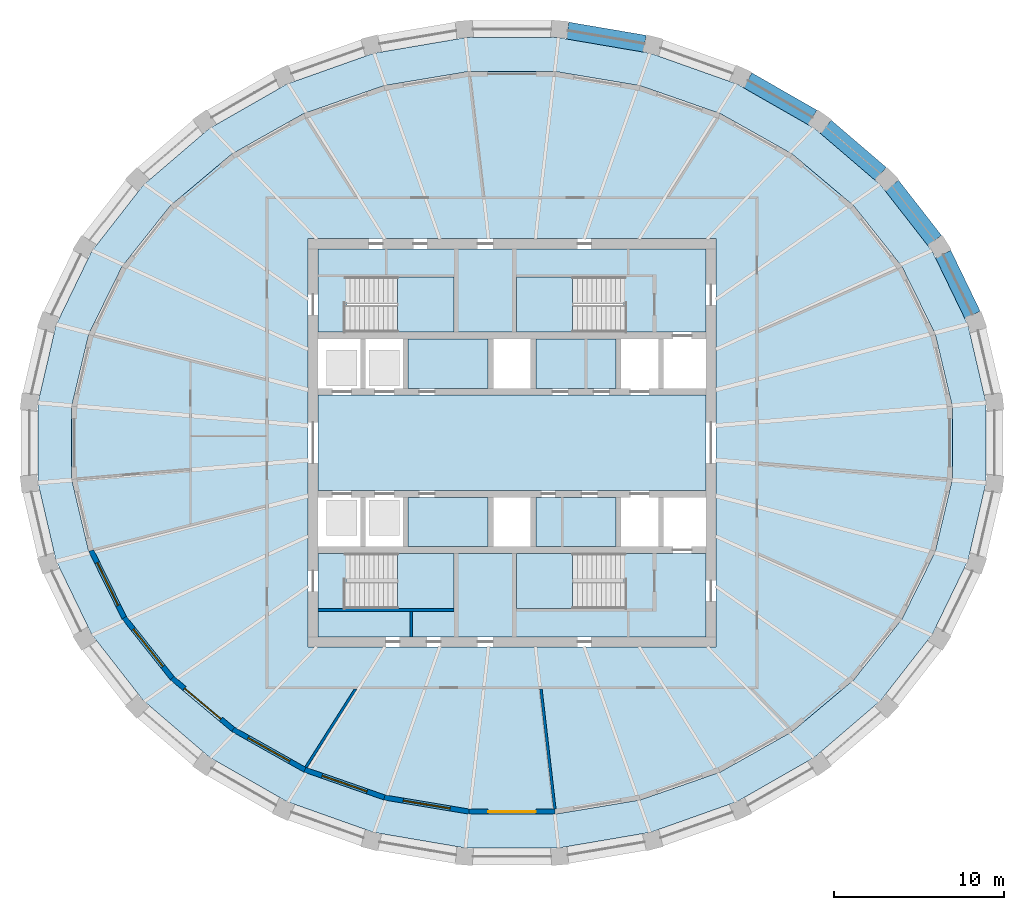
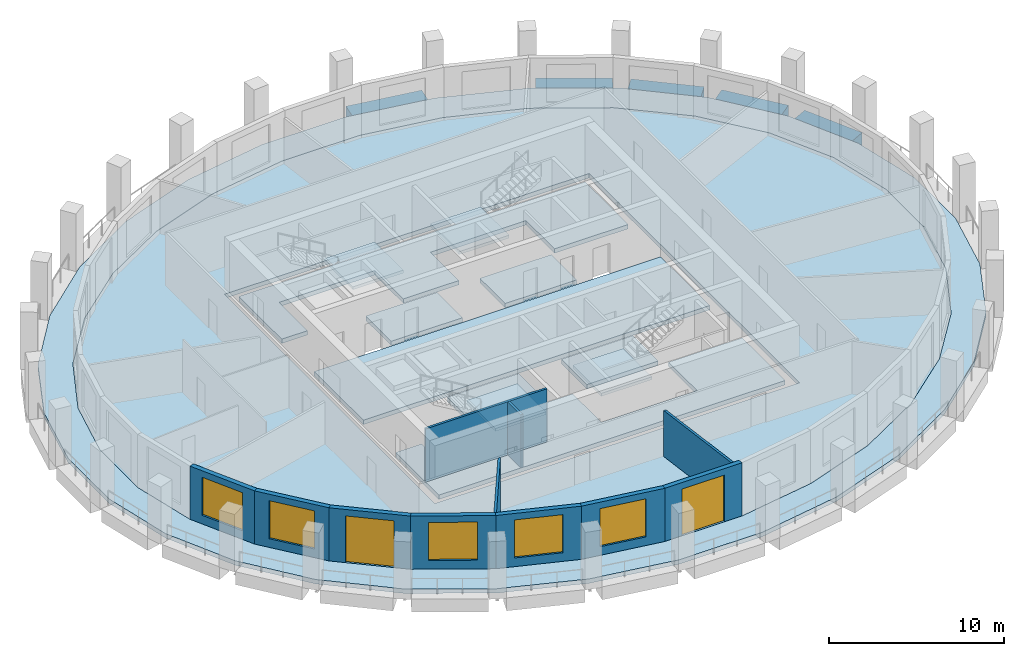
# One storey, part 2 of 10: 13 slabs, 11 walls, 5 beams, 5 windows, 2 doors, 7 openings, 4 elements without a shape of their own.
"""IFC4 building model written with IfcOpenShell, lengths in metres."""

from ifc_helpers import new_model, si_unit, direction, frame, frame_2d, origin, origin_2d, place, context, subcontext, project, spatial, polyline, rectangle, outline, extrude, material, layer, layer_set, material_profile, profile_set, type_object, element, fill, aggregate, save


model = new_model("IFC4")

# Units and contexts
model_context = context("Model", 3, precision=1e-05, world=origin(), true_north=direction((0.0, 1.0)))
body_context = subcontext(model_context, "Body", "Model", "MODEL_VIEW")
ifc_project = project(units=[si_unit("LENGTHUNIT", "METRE"), si_unit("AREAUNIT", "SQUARE_METRE"), si_unit("VOLUMEUNIT", "CUBIC_METRE"), si_unit("PLANEANGLEUNIT", "RADIAN"), si_unit("MASSUNIT", "GRAM", prefix="KILO")], contexts=[model_context])

# Site, building, storey
site_placement = place(None, origin())
site = spatial("IfcSite", under=ifc_project, at=site_placement, CompositionType="ELEMENT")
building_placement = place(site_placement, origin())
building = spatial("IfcBuilding", under=site, at=building_placement, Name="Halqa Exchange Tower", CompositionType="ELEMENT")
storey_placement = place(building_placement, frame((0.0, 0.0, 320.300048828125)))
storey = spatial("IfcBuildingStorey", under=building, at=storey_placement, Name="L75", CompositionType="ELEMENT", Elevation=320.300048828125)

# Beams
ifc_material_1 = material(Name="Concrete C60/75", Category="concrete")
ifc_material_profile = material_profile(ifc_material_1, rectangle(XDim=1.0, YDim=0.89990234375, at=origin_2d()), Name="1000 x 900")
ifc_profile_set = profile_set([ifc_material_profile], Name="Concrete C60/75")
beam_type = type_object("IfcBeamType", Name="RC spandrel beam 1000 x 900 C60/75", PredefinedType="SPANDREL", material=ifc_profile_set)
beam_1_placement = place(storey_placement, frame((27.06591796875, 7.519287109375, -0.449951171875), z_axis=(-0.43505216676, 0.900405248873, 0.0), x_axis=(-0.900405248873, -0.43505216676, 0.0)))
element("IfcBeam", 1, at=beam_1_placement, inside=storey, type_object=beam_type, Name="Spandrel 2", PredefinedType="SPANDREL", context=body_context, shape_type="SweptSolid", body=[
    extrude(rectangle(XDim=1.0, YDim=0.89990234375, at=origin_2d()), origin(), (0.0, 0.0, 1.0), 3.964111328125),
])
beam_2_placement = place(storey_placement, frame((24.8427734375, 11.89013671875, -0.449951171875), z_axis=(-0.61480594236, 0.788678421943, 0.0), x_axis=(-0.788678421943, -0.61480594236, 0.0)))
element("IfcBeam", 2, at=beam_2_placement, inside=storey, type_object=beam_type, Name="Spandrel 3", PredefinedType="SPANDREL", context=body_context, shape_type="SweptSolid", body=[
    extrude(rectangle(XDim=1.0, YDim=0.89990234375, at=origin_2d()), origin(), (0.0, 0.0, 1.0), 4.10009765625),
])
beam_3_placement = place(storey_placement, frame((21.670654296875, 15.805908203125, -0.449951171875), z_axis=(-0.759232294843, 0.65081973116, 0.0), x_axis=(-0.65081973116, -0.759232294843, 0.0)))
element("IfcBeam", 3, at=beam_3_placement, inside=storey, type_object=beam_type, Name="Spandrel 4", PredefinedType="SPANDREL", context=body_context, shape_type="SweptSolid", body=[
    extrude(rectangle(XDim=1.0, YDim=0.89990234375, at=origin_2d()), origin(), (0.0, 0.0, 1.0), 4.25390625),
])
beam_4_placement = place(storey_placement, frame((17.669189453125, 19.119140625, -0.449951171875), z_axis=(-0.86778573249, 0.49693855001, 0.0), x_axis=(-0.49693855001, -0.86778573249, 0.0)))
element("IfcBeam", 4, at=beam_4_placement, inside=storey, type_object=beam_type, Name="Spandrel 5", PredefinedType="SPANDREL", context=body_context, shape_type="SweptSolid", body=[
    extrude(rectangle(XDim=1.0, YDim=0.89990234375, at=origin_2d()), origin(), (0.0, 0.0, 1.0), 4.40478515625),
])
beam_5_placement = place(storey_placement, frame((7.805419921875, 23.456298828125, -0.449951171875), z_axis=(-0.985773042695, 0.168081849987, 0.0), x_axis=(-0.168081849987, -0.985773042695, 0.0)))
element("IfcBeam", 5, at=beam_5_placement, inside=storey, type_object=beam_type, Name="Spandrel 7", PredefinedType="SPANDREL", context=body_context, shape_type="SweptSolid", body=[
    extrude(rectangle(XDim=1.0, YDim=0.89990234375, at=origin_2d()), origin(), (0.0, 0.0, 1.0), 4.6103515625),
])

# Slabs
ifc_layer_1 = layer(ifc_material_1, 0.300048828125)
ifc_layer_set_1 = layer_set([ifc_layer_1], Name="Concrete C60/75")
slab_type_1 = type_object("IfcSlabType", Name="Core floor slab 300", PredefinedType="FLOOR", material=ifc_layer_set_1)
slab_1_placement = place(storey_placement, frame((0.0, 0.0, -0.300048828125)))
element("IfcSlab", 6, at=slab_1_placement, inside=storey, type_object=slab_type_1, Name="Core floor slab", PredefinedType="FLOOR", context=body_context, shape_type="SweptSolid", body=[
    extrude(outline(polyline([(-11.39990234375, 2.800048828125), (11.39990234375, 2.800048828125), (11.39990234375, -2.800048828125), (-11.39990234375, -2.800048828125), (-11.39990234375, 2.800048828125)])), origin(), (0.0, 0.0, 1.0), 0.300048828125),
])
slab_2_placement = place(storey_placement, frame((0.0, 0.0, -0.300048828125)))
element("IfcSlab", 7, at=slab_2_placement, inside=storey, type_object=slab_type_1, Name="Core floor slab", PredefinedType="FLOOR", context=body_context, shape_type="SweptSolid", body=[
    extrude(outline(polyline([(-11.39990234375, 11.39990234375), (11.39990234375, 11.39990234375), (11.39990234375, 6.5), (6.550048828125, 6.5), (6.550048828125, 9.75), (0.25, 9.75), (0.25, 6.5), (-3.39990234375, 6.5), (-3.39990234375, 9.75), (-9.699951171875, 9.75), (-9.699951171875, 6.5), (-11.39990234375, 6.5), (-11.39990234375, 11.39990234375)])), origin(), (0.0, 0.0, 1.0), 0.300048828125),
])
slab_3_placement = place(storey_placement, frame((0.0, 0.0, -0.300048828125)))
element("IfcSlab", 8, at=slab_3_placement, inside=storey, type_object=slab_type_1, Name="Core floor slab", PredefinedType="FLOOR", context=body_context, shape_type="SweptSolid", body=[
    extrude(outline(polyline([(-11.39990234375, -6.5), (-9.699951171875, -6.5), (-9.699951171875, -9.75), (-3.39990234375, -9.75), (-3.39990234375, -6.5), (0.25, -6.5), (0.25, -9.75), (6.550048828125, -9.75), (6.550048828125, -6.5), (11.39990234375, -6.5), (11.39990234375, -11.39990234375), (-11.39990234375, -11.39990234375), (-11.39990234375, -6.5)])), origin(), (0.0, 0.0, 1.0), 0.300048828125),
])
slab_4_placement = place(storey_placement, frame((0.0, 0.0, -0.300048828125)))
element("IfcSlab", 9, at=slab_4_placement, inside=storey, type_object=slab_type_1, Name="Core floor slab", PredefinedType="FLOOR", context=body_context, shape_type="SweptSolid", body=[
    extrude(outline(polyline([(-1.39990234375, -3.199951171875), (-1.39990234375, -6.10009765625), (-6.10009765625, -6.10009765625), (-6.10009765625, -3.199951171875), (-1.39990234375, -3.199951171875)])), origin(), (0.0, 0.0, 1.0), 0.300048828125),
])
slab_5_placement = place(storey_placement, frame((0.0, 0.0, -0.300048828125)))
element("IfcSlab", 10, at=slab_5_placement, inside=storey, type_object=slab_type_1, Name="Core floor slab", PredefinedType="FLOOR", context=body_context, shape_type="SweptSolid", body=[
    extrude(outline(polyline([(-1.39990234375, 3.199951171875), (-6.10009765625, 3.199951171875), (-6.10009765625, 6.10009765625), (-1.39990234375, 6.10009765625), (-1.39990234375, 3.199951171875)])), origin(), (0.0, 0.0, 1.0), 0.300048828125),
])
slab_6_placement = place(storey_placement, frame((0.0, 0.0, -0.300048828125)))
element("IfcSlab", 11, at=slab_6_placement, inside=storey, type_object=slab_type_1, Name="Core floor slab", PredefinedType="FLOOR", context=body_context, shape_type="SweptSolid", body=[
    extrude(outline(polyline([(6.10009765625, -3.199951171875), (6.10009765625, -6.10009765625), (1.39990234375, -6.10009765625), (1.39990234375, -3.199951171875), (6.10009765625, -3.199951171875)])), origin(), (0.0, 0.0, 1.0), 0.300048828125),
])
slab_7_placement = place(storey_placement, frame((0.0, 0.0, -0.300048828125)))
element("IfcSlab", 12, at=slab_7_placement, inside=storey, type_object=slab_type_1, Name="Core floor slab", PredefinedType="FLOOR", context=body_context, shape_type="SweptSolid", body=[
    extrude(outline(polyline([(6.10009765625, 6.10009765625), (6.10009765625, 3.199951171875), (1.39990234375, 3.199951171875), (1.39990234375, 6.10009765625), (6.10009765625, 6.10009765625)])), origin(), (0.0, 0.0, 1.0), 0.300048828125),
])
ifc_material_2 = material(Name="Concrete C40/50", Category="concrete")
ifc_layer_2 = layer(ifc_material_2, 0.300048828125)
ifc_layer_set_2 = layer_set([ifc_layer_2], Name="Concrete C40/50")
slab_type_2 = type_object("IfcSlabType", Name="RC floor slab 300", PredefinedType="FLOOR", material=ifc_layer_set_2)
slab_8_placement = place(storey_placement, frame((0.0, 0.0, -0.300048828125)))
element("IfcSlab", 13, at=slab_8_placement, inside=storey, type_object=slab_type_2, Name="Floor slab", PredefinedType="FLOOR", context=body_context, shape_type="SweptSolid", body=[
    extrude(outline(polyline([(25.876220703125, 2.155029296875), (24.877685546875, 6.380615234375), (22.92041015625, 10.35693359375), (20.08251953125, 13.93115234375), (16.4755859375, 16.966796875), (12.23876953125, 19.34912109375), (7.534912109375, 20.989013671875), (2.5439453125, 21.824462890625), (-2.5439453125, 21.824462890625), (-7.534912109375, 20.989013671875), (-12.23876953125, 19.34912109375), (-16.4755859375, 16.966796875), (-20.08251953125, 13.93115234375), (-22.92041015625, 10.35693359375), (-24.877685546875, 6.380615234375), (-25.876220703125, 2.155029296875), (-25.876220703125, -2.155029296875), (-24.877685546875, -6.380615234375), (-22.92041015625, -10.35693359375), (-20.08251953125, -13.93115234375), (-16.4755859375, -16.966796875), (-12.23876953125, -19.34912109375), (-7.534912109375, -20.989013671875), (-2.5439453125, -21.824462890625), (2.5439453125, -21.824462890625), (7.534912109375, -20.989013671875), (12.23876953125, -19.34912109375), (16.4755859375, -16.966796875), (20.08251953125, -13.93115234375), (22.92041015625, -10.35693359375), (24.877685546875, -6.380615234375), (25.876220703125, -2.155029296875), (25.876220703125, 2.155029296875)]), holes=[polyline([(-12.0, -12.0), (12.0, -12.0), (12.0, 12.0), (-12.0, 12.0), (-12.0, -12.0)])]), origin(), (0.0, 0.0, 1.0), 0.300048828125),
])
ifc_layer_3 = layer(ifc_material_2, 0.300048828125)
ifc_layer_set_3 = layer_set([ifc_layer_3], Name="Concrete C40/50")
slab_type_3 = type_object("IfcSlabType", Name="RC loggia slab 300", PredefinedType="FLOOR", material=ifc_layer_set_3)
slab_9_placement = place(storey_placement, frame((0.0, 0.0, -0.300048828125)))
element("IfcSlab", 14, at=slab_9_placement, inside=storey, type_object=slab_type_3, Name="Loggia slab", PredefinedType="FLOOR", context=body_context, shape_type="SweptSolid", body=[
    extrude(outline(polyline([(27.86279296875, 2.337158203125), (27.86279296875, -2.337158203125), (26.79833984375, -6.923828125), (24.707763671875, -11.250244140625), (21.667236328125, -15.150390625), (17.790771484375, -18.47314453125), (13.22509765625, -21.087890625), (8.146484375, -22.89111328125), (2.751220703125, -23.81103515625), (-2.751220703125, -23.81103515625), (-8.146484375, -22.89111328125), (-13.22509765625, -21.087890625), (-17.790771484375, -18.47314453125), (-21.667236328125, -15.150390625), (-24.707763671875, -11.250244140625), (-26.79833984375, -6.923828125), (-27.86279296875, -2.337158203125), (-27.86279296875, 2.337158203125), (-26.79833984375, 6.923828125), (-24.707763671875, 11.250244140625), (-21.667236328125, 15.150390625), (-17.790771484375, 18.47314453125), (-13.22509765625, 21.087890625), (-8.146484375, 22.89111328125), (-2.751220703125, 23.81103515625), (2.751220703125, 23.81103515625), (8.146484375, 22.89111328125), (13.22509765625, 21.087890625), (17.790771484375, 18.47314453125), (21.667236328125, 15.150390625), (24.707763671875, 11.250244140625), (26.79833984375, 6.923828125), (27.86279296875, 2.337158203125)]), holes=[polyline([(25.876220703125, 2.155029296875), (24.877685546875, 6.380615234375), (22.92041015625, 10.35693359375), (20.08251953125, 13.93115234375), (16.4755859375, 16.966796875), (12.23876953125, 19.34912109375), (7.534912109375, 20.989013671875), (2.5439453125, 21.824462890625), (-2.5439453125, 21.824462890625), (-7.534912109375, 20.989013671875), (-12.23876953125, 19.34912109375), (-16.4755859375, 16.966796875), (-20.08251953125, 13.93115234375), (-22.92041015625, 10.35693359375), (-24.877685546875, 6.380615234375), (-25.876220703125, 2.155029296875), (-25.876220703125, -2.155029296875), (-24.877685546875, -6.380615234375), (-22.92041015625, -10.35693359375), (-20.08251953125, -13.93115234375), (-16.4755859375, -16.966796875), (-12.23876953125, -19.34912109375), (-7.534912109375, -20.989013671875), (-2.5439453125, -21.824462890625), (2.5439453125, -21.824462890625), (7.534912109375, -20.989013671875), (12.23876953125, -19.34912109375), (16.4755859375, -16.966796875), (20.08251953125, -13.93115234375), (22.92041015625, -10.35693359375), (24.877685546875, -6.380615234375), (25.876220703125, -2.155029296875), (25.876220703125, 2.155029296875)])]), origin(), (0.0, 0.0, 1.0), 0.300048828125),
])

# Stair, slab
ifc_material_3 = material(Name="Concrete C30/37", Category="concrete")
stair_type = type_object("IfcStairType", Name="Exit stair 1500 wide", PredefinedType="HALF_TURN_STAIR", material=ifc_material_3)
stair_1_placement = place(storey_placement, origin())
stair_1 = element("IfcStair", 15, at=stair_1_placement, inside=storey, type_object=stair_type, Name="Exit stair ST1", PredefinedType="HALF_TURN_STAIR")
ifc_layer_4 = layer(ifc_material_3, 0.199951171875)
ifc_layer_set_4 = layer_set([ifc_layer_4], Name="Concrete C30/37")
slab_type_4 = type_object("IfcSlabType", Name="Stair landing 200 slab", PredefinedType="LANDING", material=ifc_layer_set_4)
slab_10_placement = place(storey_placement, frame((0.0, 0.0, 1.800048828125)))
slab_10 = element("IfcSlab", 16, at=slab_10_placement, type_object=slab_type_4, Name="ST1 landing 1", PredefinedType="LANDING", context=body_context, shape_type="SweptSolid", body=[
    extrude(outline(polyline([(-6.719970703125, 6.5), (-3.39990234375, 6.5), (-3.39990234375, 9.75), (-6.719970703125, 9.75), (-6.719970703125, 6.5)])), origin(), (0.0, 0.0, 1.0), 0.199951171875),
])
aggregate(stair_1, [slab_10])

stair_2_placement = place(storey_placement, origin())
stair_2 = element("IfcStair", 17, at=stair_2_placement, inside=storey, type_object=stair_type, Name="Exit stair ST2", PredefinedType="HALF_TURN_STAIR")
slab_11_placement = place(storey_placement, frame((0.0, 0.0, 1.800048828125)))
slab_11 = element("IfcSlab", 18, at=slab_11_placement, type_object=slab_type_4, Name="ST2 landing 1", PredefinedType="LANDING", context=body_context, shape_type="SweptSolid", body=[
    extrude(outline(polyline([(0.25, 6.5), (3.570068359375, 6.5), (3.570068359375, 9.75), (0.25, 9.75), (0.25, 6.5)])), origin(), (0.0, 0.0, 1.0), 0.199951171875),
])
aggregate(stair_2, [slab_11])

stair_3_placement = place(storey_placement, origin())
stair_3 = element("IfcStair", 19, at=stair_3_placement, inside=storey, type_object=stair_type, Name="Exit stair ST3", PredefinedType="HALF_TURN_STAIR")
slab_12_placement = place(storey_placement, frame((0.0, 0.0, 1.800048828125)))
slab_12 = element("IfcSlab", 20, at=slab_12_placement, type_object=slab_type_4, Name="ST3 landing 1", PredefinedType="LANDING", context=body_context, shape_type="SweptSolid", body=[
    extrude(outline(polyline([(-6.719970703125, -9.75), (-3.39990234375, -9.75), (-3.39990234375, -6.5), (-6.719970703125, -6.5), (-6.719970703125, -9.75)])), origin(), (0.0, 0.0, 1.0), 0.199951171875),
])
aggregate(stair_3, [slab_12])

stair_4_placement = place(storey_placement, origin())
stair_4 = element("IfcStair", 21, at=stair_4_placement, inside=storey, type_object=stair_type, Name="Exit stair ST4", PredefinedType="HALF_TURN_STAIR")
slab_13_placement = place(storey_placement, frame((0.0, 0.0, 1.800048828125)))
slab_13 = element("IfcSlab", 22, at=slab_13_placement, type_object=slab_type_4, Name="ST4 landing 1", PredefinedType="LANDING", context=body_context, shape_type="SweptSolid", body=[
    extrude(outline(polyline([(0.25, -9.75), (3.570068359375, -9.75), (3.570068359375, -6.5), (0.25, -6.5), (0.25, -9.75)])), origin(), (0.0, 0.0, 1.0), 0.199951171875),
])
aggregate(stair_4, [slab_13])

# Walls
ifc_material_4 = material(Name="Fire-rated gypsum board")
ifc_layer_5 = layer(ifc_material_4, 0.14990234375)
ifc_layer_set_5 = layer_set([ifc_layer_5], Name="Fire-rated gypsum board")
wall_type_1 = type_object("IfcWallType", Name="Fire partition EI 60 150", PredefinedType="PARTITIONING", material=ifc_layer_set_5)
wall_1_placement = place(storey_placement, frame((-9.172119140625, -14.43505859375, 0.0), z_axis=(0.0, 0.0, 1.0), x_axis=(-0.536016173419, -0.844207712493, 0.0)))
element("IfcWall", 23, at=wall_1_placement, inside=storey, type_object=wall_type_1, Name="L75-PWL-009", PredefinedType="PARTITIONING", context=body_context, shape_type="SweptSolid", body=[
    extrude(outline(polyline([(0.094970703125, -0.074951171875), (1.89599609375, -0.074951171875), (3.697265625, -0.074951171875), (5.498291015625, -0.074951171875), (5.494140625, 0.002685546875), (5.477294921875, 0.074951171875), (3.6513671875, 0.074951171875), (1.82568359375, 0.074951171875), (0.0, 0.074951171875), (0.0, 0.074462890625), (0.094970703125, -0.074951171875)])), origin(), (0.0, 0.0, 1.0), 3.699951171875),
])
wall_2_placement = place(storey_placement, frame((1.69775390625, -14.466552734375, 0.0), z_axis=(0.0, 0.0, 1.0), x_axis=(0.115131681879, -0.993350238248, 0.0)))
element("IfcWall", 24, at=wall_2_placement, inside=storey, type_object=wall_type_1, Name="L75-PWL-012", PredefinedType="PARTITIONING", context=body_context, shape_type="SweptSolid", body=[
    extrude(outline(polyline([(0.0, -0.074951171875), (1.774169921875, -0.074951171875), (3.54833984375, -0.074951171875), (5.322265625, -0.074951171875), (7.096435546875, -0.074951171875), (7.1015625, -0.03125), (7.1015625, 0.074951171875), (5.33056640625, 0.074951171875), (3.559326171875, 0.074951171875), (1.788330078125, 0.074951171875), (0.01708984375, 0.074951171875), (0.0, -0.073486328125), (0.0, -0.074951171875)])), origin(), (0.0, 0.0, 1.0), 3.199951171875),
])
ifc_material_5 = material(Name="Gypsum board")
ifc_layer_6 = layer(ifc_material_5, 0.14990234375)
ifc_layer_set_6 = layer_set([ifc_layer_6], Name="Gypsum board")
wall_type_2 = type_object("IfcWallType", Name="Penthouse riser wall 150 gypsum", PredefinedType="PARTITIONING", material=ifc_layer_set_6)
wall_3_placement = place(storey_placement, frame((-5.925048828125, -11.39990234375, 0.0), z_axis=(0.0, 0.0, 1.0), x_axis=(0.0, 1.0, 0.0)))
element("IfcWall", 25, at=wall_3_placement, inside=storey, type_object=wall_type_2, Name="Partition W5.925 S", PredefinedType="PARTITIONING", context=body_context, shape_type="SweptSolid", body=[
    extrude(rectangle(XDim=1.5, YDim=0.14990234375, at=frame_2d((0.75, 0.0))), origin(), (0.0, 0.0, 1.0), 3.699951171875),
])
ifc_layer_7 = layer(ifc_material_3, 0.14990234375)
ifc_layer_set_7 = layer_set([ifc_layer_7], Name="Concrete C30/37")
wall_type_3 = type_object("IfcWallType", Name="RC stair wall 150 C30/37", PredefinedType="SHEAR", material=ifc_layer_set_7)
wall_4_placement = place(storey_placement, frame((-11.39990234375, -9.824951171875, 0.0), z_axis=(0.0, 0.0, 1.0), x_axis=(1.0, 0.0, 0.0)))
element("IfcWall", 26, at=wall_4_placement, inside=storey, type_object=wall_type_3, Name="Stair ST1 north wall S", PredefinedType="SHEAR", context=body_context, shape_type="SweptSolid", body=[
    extrude(rectangle(XDim=8.0, YDim=0.14990234375, at=frame_2d((4.0, 0.0))), origin(), (0.0, 0.0, 1.0), 3.699951171875),
])

# Wall, opening, window
ifc_material_6 = material(Name="Limestone cladding", Category="masonry")
ifc_layer_8 = layer(ifc_material_6, 0.0400390625)
ifc_material_7 = material(Name="Ventilated cavity")
ifc_layer_9 = layer(ifc_material_7, 0.030029296875, ventilated=True)
ifc_material_8 = material(Name="Mineral wool insulation")
ifc_layer_10 = layer(ifc_material_8, 0.10009765625)
ifc_layer_11 = layer(ifc_material_3, 0.10009765625)
ifc_material_9 = material(Name="Internal plaster")
ifc_layer_12 = layer(ifc_material_9, 0.030029296875)
ifc_layer_set_8 = layer_set([ifc_layer_8, ifc_layer_9, ifc_layer_10, ifc_layer_11, ifc_layer_12], Name="Stone-faced insulated wall 300")
wall_type_4 = type_object("IfcWallType", Name="Stone-faced insulated wall 300", PredefinedType="STANDARD", material=ifc_layer_set_8)
wall_5_placement = place(storey_placement, frame((-24.735595703125, -6.32958984375, 0.0), z_axis=(0.0, 0.0, 1.0), x_axis=(0.441610485853, -0.897206876247, 0.0)))
wall_5 = element("IfcWall", 27, at=wall_5_placement, inside=storey, type_object=wall_type_4, Name="Glass-line wall 18", PredefinedType="STANDARD", context=body_context, shape_type="SweptSolid", body=[
    extrude(outline(polyline([(-0.01708984375, -0.14990234375), (4.4150390625, -0.14990234375), (4.3828125, 0.14990234375), (0.01708984375, 0.14990234375), (-0.01708984375, -0.14990234375)])), origin(), (0.0, 0.0, 1.0), 3.699951171875),
])
opening_1_placement = place(wall_5_placement, frame((0.799560546875, 0.0, 0.60009765625)))
opening_1 = element("IfcOpeningElement", 28, at=opening_1_placement, cuts=wall_5, Name="Opening W-F4-18", PredefinedType="OPENING", context=body_context, shape_type="SweptSolid", body=[
    extrude(rectangle(XDim=2.800048828125, YDim=2.64990234375, at=frame_2d((1.39990234375, 1.324951171875))), frame((0.0, 0.162109375, 0.0), z_axis=(0.0, -1.0, 0.0), x_axis=(1.0, 0.0, 0.0)), (0.0, 0.0, 1.0), 0.323974609375),
])
ifc_material_10 = material(Name="Clear low-emissivity glass in aluminium frame", Category="aluminium")
window_type = type_object("IfcWindowType", Name="Fixed clear glazed window 2800 x 2650", PartitioningType="DOUBLE_PANEL_VERTICAL", PredefinedType="WINDOW", material=ifc_material_10)
window_1_placement = place(opening_1_placement, origin())
window_1 = element("IfcWindow", 29, at=window_1_placement, inside=storey, type_object=window_type, Name="Window 4", OverallHeight=2.64990234375, OverallWidth=2.800048828125, PartitioningType="DOUBLE_PANEL_VERTICAL", PredefinedType="WINDOW", context=body_context, shape_type="SweptSolid", body=[
    extrude(rectangle(XDim=2.800048828125, YDim=2.64990234375, at=frame_2d((1.39990234375, 1.324951171875))), frame((0.0, 0.030029296875, 0.0), z_axis=(0.0, -1.0, 0.0), x_axis=(1.0, 0.0, 0.0)), (0.0, 0.0, 1.0), 0.06005859375),
])
fill(opening_1, window_1)

wall_6_placement = place(storey_placement, frame((-22.79296875, -10.2763671875, 0.0), z_axis=(0.0, 0.0, 1.0), x_axis=(0.621800530555, -0.783175650925, 0.0)))
wall_6 = element("IfcWall", 30, at=wall_6_placement, inside=storey, type_object=wall_type_4, Name="Glass-line wall 19", PredefinedType="STANDARD", context=body_context, shape_type="SweptSolid", body=[
    extrude(outline(polyline([(-0.01611328125, -0.14990234375), (4.547607421875, -0.14990234375), (4.517333984375, 0.14990234375), (0.01611328125, 0.14990234375), (-0.01611328125, -0.14990234375)])), origin(), (0.0, 0.0, 1.0), 3.699951171875),
])
opening_2_placement = place(wall_6_placement, frame((0.8662109375, 0.0, 0.60009765625)))
opening_2 = element("IfcOpeningElement", 31, at=opening_2_placement, cuts=wall_6, Name="Opening W-F4-19", PredefinedType="OPENING", context=body_context, shape_type="SweptSolid", body=[
    extrude(rectangle(XDim=2.800048828125, YDim=2.64990234375, at=frame_2d((1.39990234375, 1.324951171875))), frame((0.0, 0.162109375, 0.0), z_axis=(0.0, -1.0, 0.0), x_axis=(1.0, 0.0, 0.0)), (0.0, 0.0, 1.0), 0.323974609375),
])
window_2_placement = place(opening_2_placement, origin())
window_2 = element("IfcWindow", 32, at=window_2_placement, inside=storey, type_object=window_type, Name="Window 4", OverallHeight=2.64990234375, OverallWidth=2.800048828125, PartitioningType="DOUBLE_PANEL_VERTICAL", PredefinedType="WINDOW", context=body_context, shape_type="SweptSolid", body=[
    extrude(rectangle(XDim=2.800048828125, YDim=2.64990234375, at=frame_2d((1.39990234375, 1.324951171875))), frame((0.0, 0.030029296875, 0.0), z_axis=(0.0, -1.0, 0.0), x_axis=(1.0, 0.0, 0.0)), (0.0, 0.0, 1.0), 0.06005859375),
])
fill(opening_2, window_2)

# Wall, opening, door
wall_7_placement = place(storey_placement, frame((-19.974609375, -13.826171875, 0.0), z_axis=(0.0, 0.0, 1.0), x_axis=(0.765128700347, -0.643877373344, 0.0)))
wall_7 = element("IfcWall", 33, at=wall_7_placement, inside=storey, type_object=wall_type_4, Name="Glass-line wall 20", PredefinedType="STANDARD", context=body_context, shape_type="SweptSolid", body=[
    extrude(outline(polyline([(-0.01513671875, -0.14990234375), (4.69970703125, -0.14990234375), (4.67138671875, 0.14990234375), (0.01513671875, 0.14990234375), (-0.01513671875, -0.14990234375)])), origin(), (0.0, 0.0, 1.0), 3.699951171875),
])
opening_3_placement = place(wall_7_placement, frame((0.942626953125, 0.0, 0.0)))
opening_3 = element("IfcOpeningElement", 34, at=opening_3_placement, cuts=wall_7, Name="Opening LG-F4-05", PredefinedType="OPENING", context=body_context, shape_type="SweptSolid", body=[
    extrude(rectangle(XDim=2.800048828125, YDim=3.25, at=frame_2d((1.39990234375, 1.625))), frame((0.0, 0.162109375, 0.0), z_axis=(0.0, -1.0, 0.0), x_axis=(1.0, 0.0, 0.0)), (0.0, 0.0, 1.0), 0.323974609375),
])
door_type = type_object("IfcDoorType", Name="Glazed sliding loggia door 2800 x 3250", OperationType="DOUBLE_DOOR_SLIDING", PredefinedType="DOOR", material=ifc_material_10)
door_1_placement = place(opening_3_placement, origin())
door_1 = element("IfcDoor", 35, at=door_1_placement, inside=storey, type_object=door_type, Name="Loggia door 5", OperationType="DOUBLE_DOOR_SLIDING", OverallHeight=3.25, OverallWidth=2.800048828125, PredefinedType="DOOR", context=body_context, shape_type="SweptSolid", body=[
    extrude(rectangle(XDim=2.800048828125, YDim=3.25, at=frame_2d((1.39990234375, 1.625))), frame((0.0, 0.02490234375, 0.0), z_axis=(0.0, -1.0, 0.0), x_axis=(1.0, 0.0, 0.0)), (0.0, 0.0, 1.0), 0.050048828125),
])
fill(opening_3, door_1)

# Wall, opening, window
wall_8_placement = place(storey_placement, frame((-16.3896484375, -16.843017578125, 0.0), z_axis=(0.0, 0.0, 1.0), x_axis=(0.871651071333, -0.49012693238, 0.0)))
wall_8 = element("IfcWall", 36, at=wall_8_placement, inside=storey, type_object=wall_type_4, Name="Glass-line wall 21", PredefinedType="STANDARD", context=body_context, shape_type="SweptSolid", body=[
    extrude(outline(polyline([(-0.01416015625, -0.14990234375), (4.846435546875, -0.14990234375), (4.820068359375, 0.14990234375), (0.01416015625, 0.14990234375), (-0.01416015625, -0.14990234375)])), origin(), (0.0, 0.0, 1.0), 3.699951171875),
])
opening_4_placement = place(wall_8_placement, frame((1.0166015625, 0.0, 0.60009765625)))
opening_4 = element("IfcOpeningElement", 37, at=opening_4_placement, cuts=wall_8, Name="Opening W-F4-21", PredefinedType="OPENING", context=body_context, shape_type="SweptSolid", body=[
    extrude(rectangle(XDim=2.800048828125, YDim=2.64990234375, at=frame_2d((1.39990234375, 1.324951171875))), frame((0.0, 0.162109375, 0.0), z_axis=(0.0, -1.0, 0.0), x_axis=(1.0, 0.0, 0.0)), (0.0, 0.0, 1.0), 0.323974609375),
])
window_3_placement = place(opening_4_placement, origin())
window_3 = element("IfcWindow", 38, at=window_3_placement, inside=storey, type_object=window_type, Name="Window 4", OverallHeight=2.64990234375, OverallWidth=2.800048828125, PartitioningType="DOUBLE_PANEL_VERTICAL", PredefinedType="WINDOW", context=body_context, shape_type="SweptSolid", body=[
    extrude(rectangle(XDim=2.800048828125, YDim=2.64990234375, at=frame_2d((1.39990234375, 1.324951171875))), frame((0.0, 0.030029296875, 0.0), z_axis=(0.0, -1.0, 0.0), x_axis=(1.0, 0.0, 0.0)), (0.0, 0.0, 1.0), 0.06005859375),
])
fill(opening_4, window_3)

wall_9_placement = place(storey_placement, frame((-12.1767578125, -19.2119140625, 0.0), z_axis=(0.0, 0.0, 1.0), x_axis=(0.944273917508, -0.329160703479, 0.0)))
wall_9 = element("IfcWall", 39, at=wall_9_placement, inside=storey, type_object=wall_type_4, Name="Glass-line wall 22", PredefinedType="STANDARD", context=body_context, shape_type="SweptSolid", body=[
    extrude(outline(polyline([(-0.01318359375, -0.14990234375), (4.968017578125, -0.14990234375), (4.942626953125, 0.14990234375), (0.01318359375, 0.14990234375), (-0.01318359375, -0.14990234375)])), origin(), (0.0, 0.0, 1.0), 3.699951171875),
])
opening_5_placement = place(wall_9_placement, frame((1.07763671875, 0.0, 0.60009765625)))
opening_5 = element("IfcOpeningElement", 40, at=opening_5_placement, cuts=wall_9, Name="Opening W-F4-22", PredefinedType="OPENING", context=body_context, shape_type="SweptSolid", body=[
    extrude(rectangle(XDim=2.800048828125, YDim=2.64990234375, at=frame_2d((1.39990234375, 1.324951171875))), frame((0.0, 0.162109375, 0.0), z_axis=(0.0, -1.0, 0.0), x_axis=(1.0, 0.0, 0.0)), (0.0, 0.0, 1.0), 0.323974609375),
])
window_4_placement = place(opening_5_placement, origin())
window_4 = element("IfcWindow", 41, at=window_4_placement, inside=storey, type_object=window_type, Name="Window 4", OverallHeight=2.64990234375, OverallWidth=2.800048828125, PartitioningType="DOUBLE_PANEL_VERTICAL", PredefinedType="WINDOW", context=body_context, shape_type="SweptSolid", body=[
    extrude(rectangle(XDim=2.800048828125, YDim=2.64990234375, at=frame_2d((1.39990234375, 1.324951171875))), frame((0.0, 0.030029296875, 0.0), z_axis=(0.0, -1.0, 0.0), x_axis=(1.0, 0.0, 0.0)), (0.0, 0.0, 1.0), 0.06005859375),
])
fill(opening_5, window_4)

wall_10_placement = place(storey_placement, frame((-7.49755859375, -20.843017578125, 0.0), z_axis=(0.0, 0.0, 1.0), x_axis=(0.986269147983, -0.165145898335, 0.0)))
wall_10 = element("IfcWall", 42, at=wall_10_placement, inside=storey, type_object=wall_type_4, Name="Glass-line wall 23", PredefinedType="STANDARD", context=body_context, shape_type="SweptSolid", body=[
    extrude(outline(polyline([(-0.0126953125, -0.14990234375), (5.047607421875, -0.14990234375), (5.022705078125, 0.14990234375), (0.0126953125, 0.14990234375), (-0.0126953125, -0.14990234375)])), origin(), (0.0, 0.0, 1.0), 3.699951171875),
])
opening_6_placement = place(wall_10_placement, frame((1.11767578125, 0.0, 0.60009765625)))
opening_6 = element("IfcOpeningElement", 43, at=opening_6_placement, cuts=wall_10, Name="Opening W-F4-23", PredefinedType="OPENING", context=body_context, shape_type="SweptSolid", body=[
    extrude(rectangle(XDim=2.800048828125, YDim=2.64990234375, at=frame_2d((1.39990234375, 1.324951171875))), frame((0.0, 0.162109375, 0.0), z_axis=(0.0, -1.0, 0.0), x_axis=(1.0, 0.0, 0.0)), (0.0, 0.0, 1.0), 0.323974609375),
])
window_5_placement = place(opening_6_placement, origin())
window_5 = element("IfcWindow", 44, at=window_5_placement, inside=storey, type_object=window_type, Name="Window 4", OverallHeight=2.64990234375, OverallWidth=2.800048828125, PartitioningType="DOUBLE_PANEL_VERTICAL", PredefinedType="WINDOW", context=body_context, shape_type="SweptSolid", body=[
    extrude(rectangle(XDim=2.800048828125, YDim=2.64990234375, at=frame_2d((1.39990234375, 1.324951171875))), frame((0.0, 0.030029296875, 0.0), z_axis=(0.0, -1.0, 0.0), x_axis=(1.0, 0.0, 0.0)), (0.0, 0.0, 1.0), 0.06005859375),
])
fill(opening_6, window_5)

# Wall, opening, door
wall_11_placement = place(storey_placement, frame((-2.531494140625, -21.674560546875, 0.0), z_axis=(0.0, 0.0, 1.0), x_axis=(1.0, 0.0, 0.0)))
wall_11 = element("IfcWall", 45, at=wall_11_placement, inside=storey, type_object=wall_type_4, Name="Glass-line wall 24", PredefinedType="STANDARD", context=body_context, shape_type="SweptSolid", body=[
    extrude(outline(polyline([(-0.012451171875, -0.14990234375), (5.075439453125, -0.14990234375), (5.050537109375, 0.14990234375), (0.012451171875, 0.14990234375), (-0.012451171875, -0.14990234375)])), origin(), (0.0, 0.0, 1.0), 3.699951171875),
])
opening_7_placement = place(wall_11_placement, frame((1.131591796875, 0.0, 0.0)))
opening_7 = element("IfcOpeningElement", 46, at=opening_7_placement, cuts=wall_11, Name="Opening LG-F4-06", PredefinedType="OPENING", context=body_context, shape_type="SweptSolid", body=[
    extrude(rectangle(XDim=2.800048828125, YDim=3.25, at=frame_2d((1.39990234375, 1.625))), frame((0.0, 0.162109375, 0.0), z_axis=(0.0, -1.0, 0.0), x_axis=(1.0, 0.0, 0.0)), (0.0, 0.0, 1.0), 0.323974609375),
])
door_2_placement = place(opening_7_placement, origin())
door_2 = element("IfcDoor", 47, at=door_2_placement, inside=storey, type_object=door_type, Name="Loggia door 6", OperationType="DOUBLE_DOOR_SLIDING", OverallHeight=3.25, OverallWidth=2.800048828125, PredefinedType="DOOR", context=body_context, shape_type="SweptSolid", body=[
    extrude(rectangle(XDim=2.800048828125, YDim=3.25, at=frame_2d((1.39990234375, 1.625))), frame((0.0, 0.02490234375, 0.0), z_axis=(0.0, -1.0, 0.0), x_axis=(1.0, 0.0, 0.0)), (0.0, 0.0, 1.0), 0.050048828125),
])
fill(opening_7, door_2)

save(model, "model.ifc")
